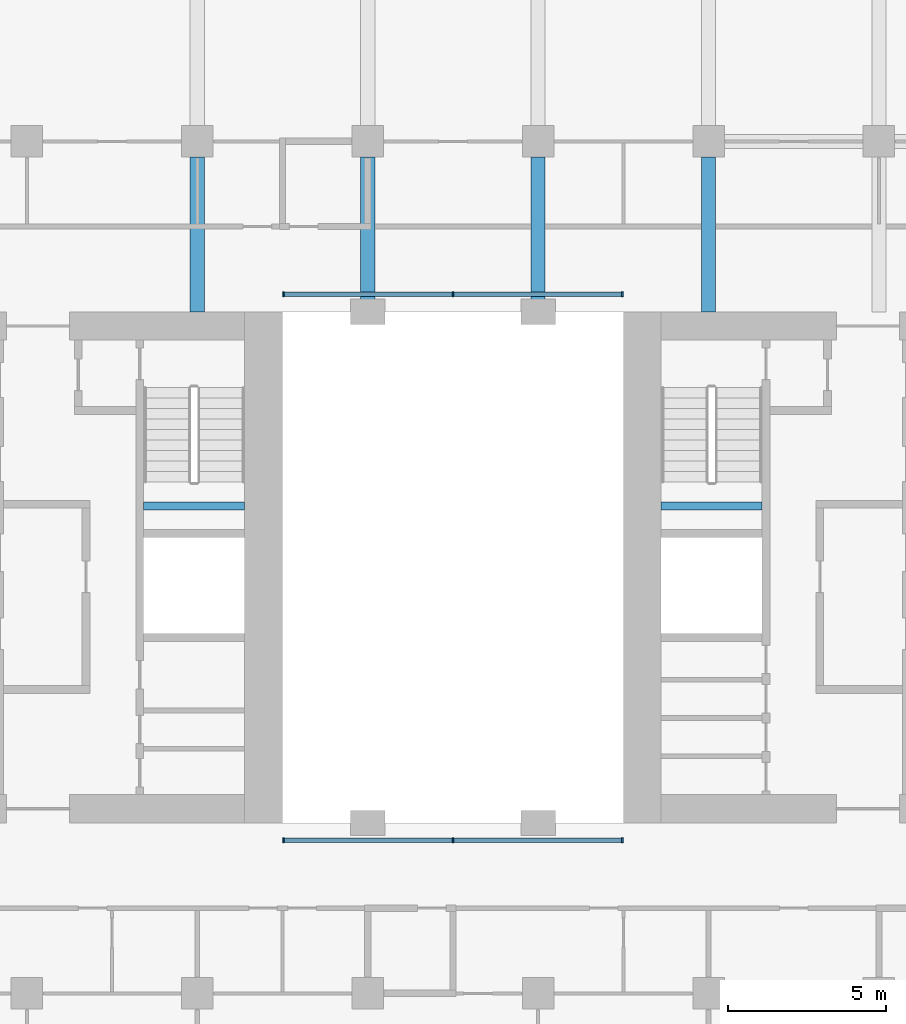
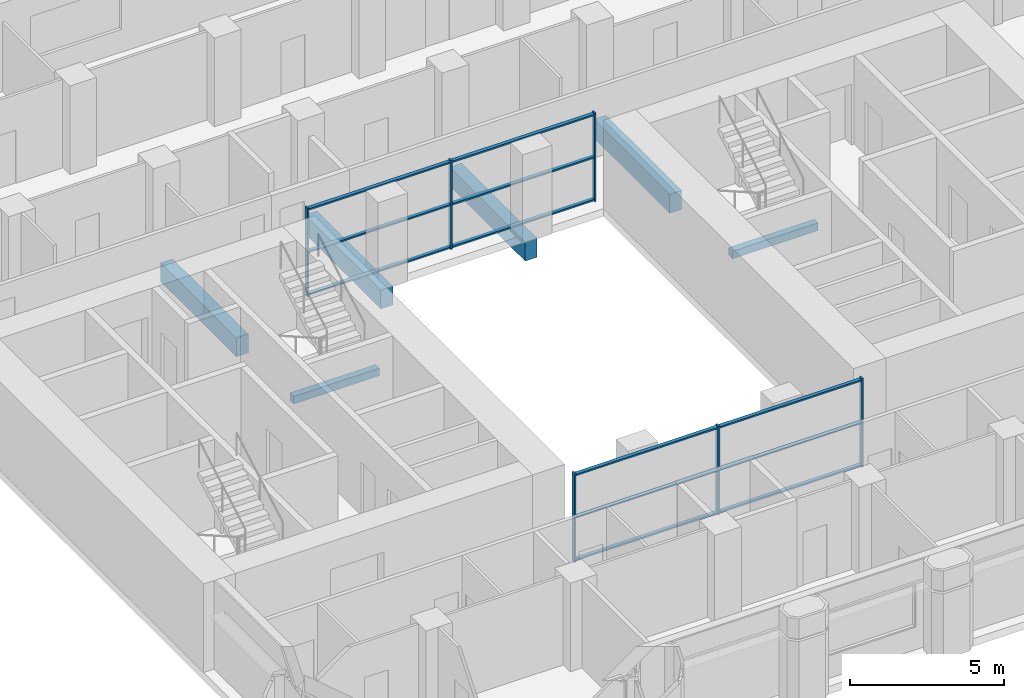
# One storey, part 2 of 11: 18 members, 6 beams, 2 elements without a shape of their own.
"""IFC4 building model written with IfcOpenShell, lengths in metres."""

from ifc_helpers import new_model, si_unit, direction, frame, origin, origin_2d, place, context, subcontext, project, spatial, rectangle, extrude, material, material_profile, profile_set, type_object, element, aggregate, save


model = new_model("IFC4")

# Units and contexts
model_context = context("Model", 3, precision=1e-05, world=origin(), true_north=direction((0.0, 1.0)))
body_context = subcontext(model_context, "Body", "Model", "MODEL_VIEW")
ifc_project = project(units=[si_unit("LENGTHUNIT", "METRE"), si_unit("AREAUNIT", "SQUARE_METRE"), si_unit("VOLUMEUNIT", "CUBIC_METRE"), si_unit("PLANEANGLEUNIT", "RADIAN"), si_unit("MASSUNIT", "GRAM", prefix="KILO")], contexts=[model_context])

# Site, building, storey
site_placement = place(None, origin())
site = spatial("IfcSite", under=ifc_project, at=site_placement, CompositionType="ELEMENT")
building_placement = place(site_placement, origin())
building = spatial("IfcBuilding", under=site, at=building_placement, Name="Tabaq Tower and Sports Hall", CompositionType="ELEMENT")
storey_placement = place(building_placement, frame((0.0, 0.0, 72.60009765625)))
storey = spatial("IfcBuildingStorey", under=building, at=storey_placement, Name="L16", CompositionType="ELEMENT", Elevation=72.60009765625)

# Curtain wall, members
ifc_material_1 = material(Name="Aluminium alloy 6063-T6 framed glazing", Category="aluminium")
curtain_wall_type = type_object("IfcCurtainWallType", Name="CW1 curtain wall", PredefinedType="USERDEFINED", material=ifc_material_1)
curtain_wall_1_placement = place(storey_placement, origin())
curtain_wall_1 = element("IfcCurtainWall", 1, at=curtain_wall_1_placement, inside=storey, type_object=curtain_wall_type, Name="Atrium glazing L16 S", ObjectType="ATRIUM ENCLOSURE", PredefinedType="USERDEFINED")
ifc_material_2 = material(Name="Aluminium alloy 6063-T6", Category="aluminium")
ifc_material_profile_1 = material_profile(ifc_material_2, rectangle(XDim=0.159912109375, YDim=0.06005859375, at=origin_2d()), Name="MULLION 160x60")
ifc_profile_set_1 = profile_set([ifc_material_profile_1], Name="Aluminium alloy 6063-T6")
member_type_1 = type_object("IfcMemberType", Name="CW1 mullion 160x60", PredefinedType="MULLION", material=ifc_profile_set_1)
member_1_placement = place(storey_placement, frame((18.929931640625, 15.64990234375, 0.0), z_axis=(0.0, 0.0, 1.0), x_axis=(0.0, 1.0, 0.0)))
member_1 = element("IfcMember", 2, at=member_1_placement, type_object=member_type_1, Name="CW1 mullion 1", PredefinedType="MULLION", context=body_context, shape_type="SweptSolid", body=[
    extrude(rectangle(XDim=0.159912109375, YDim=0.06005859375, at=origin_2d()), origin(), (0.0, 0.0, 1.0), 3.5),
])
member_2_placement = place(storey_placement, frame((24.300048828125, 15.64990234375, 0.0), z_axis=(0.0, 0.0, 1.0), x_axis=(0.0, 1.0, 0.0)))
member_2 = element("IfcMember", 3, at=member_2_placement, type_object=member_type_1, Name="CW1 mullion 2", PredefinedType="MULLION", context=body_context, shape_type="SweptSolid", body=[
    extrude(rectangle(XDim=0.159912109375, YDim=0.06005859375, at=origin_2d()), origin(), (0.0, 0.0, 1.0), 3.5),
])
member_3_placement = place(storey_placement, frame((29.669921875, 15.64990234375, 0.0), z_axis=(0.0, 0.0, 1.0), x_axis=(0.0, 1.0, 0.0)))
member_3 = element("IfcMember", 4, at=member_3_placement, type_object=member_type_1, Name="CW1 mullion 3", PredefinedType="MULLION", context=body_context, shape_type="SweptSolid", body=[
    extrude(rectangle(XDim=0.159912109375, YDim=0.06005859375, at=origin_2d()), origin(), (0.0, 0.0, 1.0), 3.5),
])

curtain_wall_2_placement = place(storey_placement, origin())
curtain_wall_2 = element("IfcCurtainWall", 5, at=curtain_wall_2_placement, inside=storey, type_object=curtain_wall_type, Name="Atrium glazing L16 N", ObjectType="ATRIUM ENCLOSURE", PredefinedType="USERDEFINED")
member_4_placement = place(storey_placement, frame((18.929931640625, 32.949951171875, 0.0), z_axis=(0.0, 0.0, 1.0), x_axis=(0.0, 1.0, 0.0)))
member_4 = element("IfcMember", 6, at=member_4_placement, type_object=member_type_1, Name="CW1 mullion 1", PredefinedType="MULLION", context=body_context, shape_type="SweptSolid", body=[
    extrude(rectangle(XDim=0.159912109375, YDim=0.06005859375, at=origin_2d()), origin(), (0.0, 0.0, 1.0), 3.5),
])
member_5_placement = place(storey_placement, frame((24.300048828125, 32.949951171875, 0.0), z_axis=(0.0, 0.0, 1.0), x_axis=(0.0, 1.0, 0.0)))
member_5 = element("IfcMember", 7, at=member_5_placement, type_object=member_type_1, Name="CW1 mullion 2", PredefinedType="MULLION", context=body_context, shape_type="SweptSolid", body=[
    extrude(rectangle(XDim=0.159912109375, YDim=0.06005859375, at=origin_2d()), origin(), (0.0, 0.0, 1.0), 3.5),
])
member_6_placement = place(storey_placement, frame((29.669921875, 32.949951171875, 0.0), z_axis=(0.0, 0.0, 1.0), x_axis=(0.0, 1.0, 0.0)))
member_6 = element("IfcMember", 8, at=member_6_placement, type_object=member_type_1, Name="CW1 mullion 3", PredefinedType="MULLION", context=body_context, shape_type="SweptSolid", body=[
    extrude(rectangle(XDim=0.159912109375, YDim=0.06005859375, at=origin_2d()), origin(), (0.0, 0.0, 1.0), 3.5),
])

# Member
ifc_material_3 = material(Name="Aluminium alloy 6063-T6", Category="aluminium")
ifc_material_profile_2 = material_profile(ifc_material_3, rectangle(XDim=0.139892578125, YDim=0.06005859375, at=origin_2d()), Name="TRANSOM 140x60")
ifc_profile_set_2 = profile_set([ifc_material_profile_2], Name="Aluminium alloy 6063-T6")
member_type_2 = type_object("IfcMemberType", Name="CW1 transom 140x60", PredefinedType="USERDEFINED", material=ifc_profile_set_2)
member_7_placement = place(storey_placement, frame((18.9599609375, 15.64990234375, 0.06982421875), z_axis=(1.0, 0.0, 0.0), x_axis=(0.0, 1.0, 0.0)))
member_7 = element("IfcMember", 9, at=member_7_placement, type_object=member_type_2, Name="CW1 transom 1.1", ObjectType="TRANSOM", PredefinedType="USERDEFINED", context=body_context, shape_type="SweptSolid", body=[
    extrude(rectangle(XDim=0.139892578125, YDim=0.06005859375, at=origin_2d()), origin(), (0.0, 0.0, 1.0), 5.31005859375),
])

member_8_placement = place(storey_placement, frame((18.9599609375, 15.64990234375, 1.75), z_axis=(1.0, 0.0, 0.0), x_axis=(0.0, 1.0, 0.0)))
member_8 = element("IfcMember", 10, at=member_8_placement, type_object=member_type_2, Name="CW1 transom 1.2", ObjectType="TRANSOM", PredefinedType="USERDEFINED", context=body_context, shape_type="SweptSolid", body=[
    extrude(rectangle(XDim=0.139892578125, YDim=0.06005859375, at=origin_2d()), origin(), (0.0, 0.0, 1.0), 5.31005859375),
])

member_9_placement = place(storey_placement, frame((18.9599609375, 15.64990234375, 3.429931640625), z_axis=(1.0, 0.0, 0.0), x_axis=(0.0, 1.0, 0.0)))
member_9 = element("IfcMember", 11, at=member_9_placement, type_object=member_type_2, Name="CW1 transom 1.3", ObjectType="TRANSOM", PredefinedType="USERDEFINED", context=body_context, shape_type="SweptSolid", body=[
    extrude(rectangle(XDim=0.139892578125, YDim=0.06005859375, at=origin_2d()), origin(), (0.0, 0.0, 1.0), 5.31005859375),
])

member_10_placement = place(storey_placement, frame((24.330078125, 15.64990234375, 0.06982421875), z_axis=(1.0, 0.0, 0.0), x_axis=(0.0, 1.0, 0.0)))
member_10 = element("IfcMember", 12, at=member_10_placement, type_object=member_type_2, Name="CW1 transom 2.1", ObjectType="TRANSOM", PredefinedType="USERDEFINED", context=body_context, shape_type="SweptSolid", body=[
    extrude(rectangle(XDim=0.139892578125, YDim=0.06005859375, at=origin_2d()), origin(), (0.0, 0.0, 1.0), 5.309814453125),
])

member_11_placement = place(storey_placement, frame((24.330078125, 15.64990234375, 1.75), z_axis=(1.0, 0.0, 0.0), x_axis=(0.0, 1.0, 0.0)))
member_11 = element("IfcMember", 13, at=member_11_placement, type_object=member_type_2, Name="CW1 transom 2.2", ObjectType="TRANSOM", PredefinedType="USERDEFINED", context=body_context, shape_type="SweptSolid", body=[
    extrude(rectangle(XDim=0.139892578125, YDim=0.06005859375, at=origin_2d()), origin(), (0.0, 0.0, 1.0), 5.309814453125),
])

member_12_placement = place(storey_placement, frame((24.330078125, 15.64990234375, 3.429931640625), z_axis=(1.0, 0.0, 0.0), x_axis=(0.0, 1.0, 0.0)))
member_12 = element("IfcMember", 14, at=member_12_placement, type_object=member_type_2, Name="CW1 transom 2.3", ObjectType="TRANSOM", PredefinedType="USERDEFINED", context=body_context, shape_type="SweptSolid", body=[
    extrude(rectangle(XDim=0.139892578125, YDim=0.06005859375, at=origin_2d()), origin(), (0.0, 0.0, 1.0), 5.309814453125),
])

aggregate(curtain_wall_1, [member_1, member_2, member_3, member_7, member_8, member_9, member_10, member_11, member_12])

member_13_placement = place(storey_placement, frame((18.9599609375, 32.949951171875, 0.06982421875), z_axis=(1.0, 0.0, 0.0), x_axis=(0.0, 1.0, 0.0)))
member_13 = element("IfcMember", 15, at=member_13_placement, type_object=member_type_2, Name="CW1 transom 1.1", ObjectType="TRANSOM", PredefinedType="USERDEFINED", context=body_context, shape_type="SweptSolid", body=[
    extrude(rectangle(XDim=0.139892578125, YDim=0.06005859375, at=origin_2d()), origin(), (0.0, 0.0, 1.0), 5.31005859375),
])

member_14_placement = place(storey_placement, frame((18.9599609375, 32.949951171875, 1.75), z_axis=(1.0, 0.0, 0.0), x_axis=(0.0, 1.0, 0.0)))
member_14 = element("IfcMember", 16, at=member_14_placement, type_object=member_type_2, Name="CW1 transom 1.2", ObjectType="TRANSOM", PredefinedType="USERDEFINED", context=body_context, shape_type="SweptSolid", body=[
    extrude(rectangle(XDim=0.139892578125, YDim=0.06005859375, at=origin_2d()), origin(), (0.0, 0.0, 1.0), 5.31005859375),
])

member_15_placement = place(storey_placement, frame((18.9599609375, 32.949951171875, 3.429931640625), z_axis=(1.0, 0.0, 0.0), x_axis=(0.0, 1.0, 0.0)))
member_15 = element("IfcMember", 17, at=member_15_placement, type_object=member_type_2, Name="CW1 transom 1.3", ObjectType="TRANSOM", PredefinedType="USERDEFINED", context=body_context, shape_type="SweptSolid", body=[
    extrude(rectangle(XDim=0.139892578125, YDim=0.06005859375, at=origin_2d()), origin(), (0.0, 0.0, 1.0), 5.31005859375),
])

member_16_placement = place(storey_placement, frame((24.330078125, 32.949951171875, 0.06982421875), z_axis=(1.0, 0.0, 0.0), x_axis=(0.0, 1.0, 0.0)))
member_16 = element("IfcMember", 18, at=member_16_placement, type_object=member_type_2, Name="CW1 transom 2.1", ObjectType="TRANSOM", PredefinedType="USERDEFINED", context=body_context, shape_type="SweptSolid", body=[
    extrude(rectangle(XDim=0.139892578125, YDim=0.06005859375, at=origin_2d()), origin(), (0.0, 0.0, 1.0), 5.309814453125),
])

member_17_placement = place(storey_placement, frame((24.330078125, 32.949951171875, 1.75), z_axis=(1.0, 0.0, 0.0), x_axis=(0.0, 1.0, 0.0)))
member_17 = element("IfcMember", 19, at=member_17_placement, type_object=member_type_2, Name="CW1 transom 2.2", ObjectType="TRANSOM", PredefinedType="USERDEFINED", context=body_context, shape_type="SweptSolid", body=[
    extrude(rectangle(XDim=0.139892578125, YDim=0.06005859375, at=origin_2d()), origin(), (0.0, 0.0, 1.0), 5.309814453125),
])

member_18_placement = place(storey_placement, frame((24.330078125, 32.949951171875, 3.429931640625), z_axis=(1.0, 0.0, 0.0), x_axis=(0.0, 1.0, 0.0)))
member_18 = element("IfcMember", 20, at=member_18_placement, type_object=member_type_2, Name="CW1 transom 2.3", ObjectType="TRANSOM", PredefinedType="USERDEFINED", context=body_context, shape_type="SweptSolid", body=[
    extrude(rectangle(XDim=0.139892578125, YDim=0.06005859375, at=origin_2d()), origin(), (0.0, 0.0, 1.0), 5.309814453125),
])

aggregate(curtain_wall_2, [member_4, member_5, member_6, member_13, member_14, member_15, member_16, member_17, member_18])

# Beams
ifc_material_4 = material(Name="Concrete C40/50", Category="concrete")
ifc_material_profile_3 = material_profile(ifc_material_4, rectangle(XDim=0.449951171875, YDim=0.75, at=origin_2d()), Name="CB 450x750")
ifc_profile_set_3 = profile_set([ifc_material_profile_3], Name="Concrete C40/50")
beam_type_1 = type_object("IfcBeamType", Name="PT CANTILEVER BEAM CB 450x750 C40/50", PredefinedType="BEAM", material=ifc_profile_set_3)
for number, where, z_axis, x_axis, name in (
    (21, (16.199951171875, 37.300048828125, -0.675048828125), (0.0, -1.0, 0.0), (1.0, 0.0, 0.0), "Cantilever Beam L16 N3 span 3"),
    (22, (21.60009765625, 37.300048828125, -0.675048828125), (0.0, -1.0, 0.0), (1.0, 0.0, 0.0), "Cantilever Beam L16 N4 span 3"),
    (23, (27.0, 37.300048828125, -0.675048828125), (0.0, -1.0, 0.0), (1.0, 0.0, 0.0), "Cantilever Beam L16 N5 span 3"),
    (24, (32.39990234375, 37.300048828125, -0.675048828125), (0.0, -1.0, 0.0), (1.0, 0.0, 0.0), "Cantilever Beam L16 N6 span 3"),
):
    element("IfcBeam", number, at=place(storey_placement, frame(where, z_axis=z_axis, x_axis=x_axis)), inside=storey, type_object=beam_type_1, Name=name, PredefinedType="BEAM", context=body_context, shape_type="SweptSolid", body=[
        extrude(rectangle(XDim=0.449951171875, YDim=0.75, at=origin_2d()), origin(), (0.0, 0.0, 1.0), 4.900146484375),
    ])
ifc_material_5 = material(Name="Concrete C40/50", Category="concrete")
ifc_material_profile_4 = material_profile(ifc_material_5, rectangle(XDim=0.25, YDim=0.300048828125, at=origin_2d()), Name="RC 250x300")
ifc_profile_set_4 = profile_set([ifc_material_profile_4], Name="Concrete C40/50")
beam_type_2 = type_object("IfcBeamType", Name="Stair landing beam 250x300", PredefinedType="BEAM", material=ifc_profile_set_4)
beam_1_placement = place(storey_placement, frame((14.5, 26.25, 1.5498046875), z_axis=(1.0, 0.0, 0.0), x_axis=(0.0, 1.0, 0.0)))
element("IfcBeam", 25, at=beam_1_placement, inside=storey, type_object=beam_type_2, Name="L16 ST2 landing beam 1", PredefinedType="BEAM", context=body_context, shape_type="SweptSolid", body=[
    extrude(rectangle(XDim=0.25, YDim=0.300048828125, at=origin_2d()), origin(), (0.0, 0.0, 1.0), 3.199951171875),
])
beam_2_placement = place(storey_placement, frame((30.89990234375, 26.25, 1.5498046875), z_axis=(1.0, 0.0, 0.0), x_axis=(0.0, 1.0, 0.0)))
element("IfcBeam", 26, at=beam_2_placement, inside=storey, type_object=beam_type_2, Name="L16 ST4 landing beam 1", PredefinedType="BEAM", context=body_context, shape_type="SweptSolid", body=[
    extrude(rectangle(XDim=0.25, YDim=0.300048828125, at=origin_2d()), origin(), (0.0, 0.0, 1.0), 3.2001953125),
])

save(model, "model.ifc")
